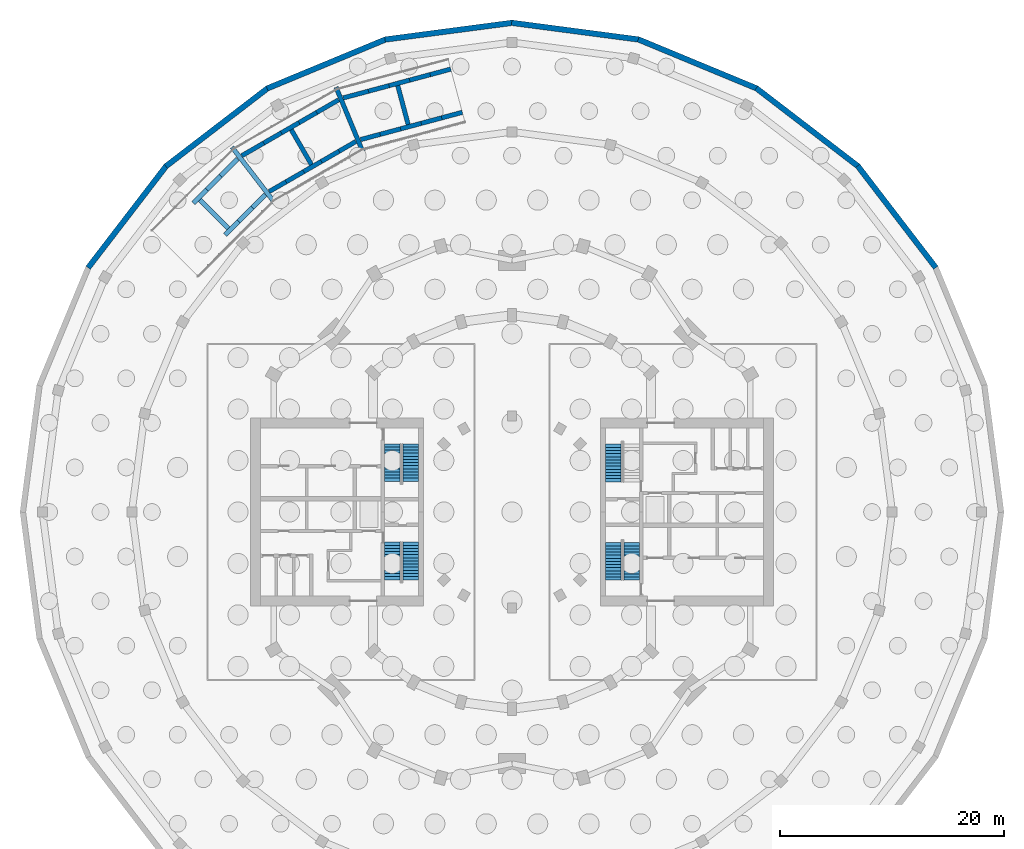
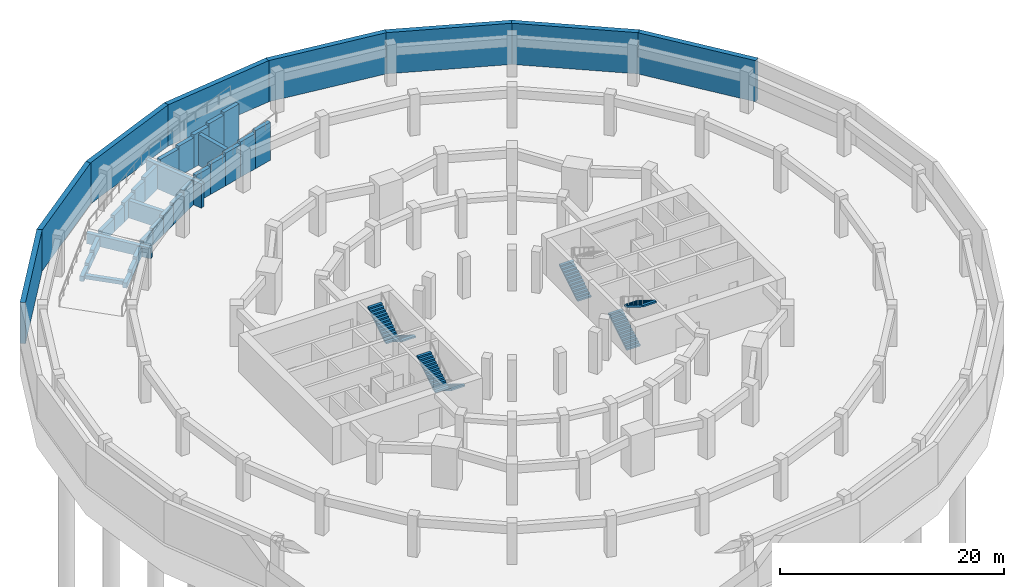
# One storey, part 6 of 9: 39 walls, 7 stair flights, 4 elements without a shape of their own.
"""IFC4 building model written with IfcOpenShell, lengths in metres."""

from ifc_helpers import new_model, si_unit, direction, frame, frame_2d, origin, place, context, subcontext, project, spatial, polyline, rectangle, outline, extrude, material, layer, layer_set, type_object, element, aggregate, save


model = new_model("IFC4")

# Units and contexts
model_context = context("Model", 3, precision=1e-05, world=origin(), true_north=direction((0.0, 1.0)))
body_context = subcontext(model_context, "Body", "Model", "MODEL_VIEW")
ifc_project = project(units=[si_unit("LENGTHUNIT", "METRE"), si_unit("AREAUNIT", "SQUARE_METRE"), si_unit("VOLUMEUNIT", "CUBIC_METRE"), si_unit("PLANEANGLEUNIT", "RADIAN"), si_unit("MASSUNIT", "GRAM", prefix="KILO")], contexts=[model_context])

# Site, building, storey
site_placement = place(None, origin())
site = spatial("IfcSite", under=ifc_project, at=site_placement, CompositionType="ELEMENT")
building_placement = place(site_placement, origin())
building = spatial("IfcBuilding", under=site, at=building_placement, Name="Torre Brocal", CompositionType="ELEMENT")
storey_placement = place(building_placement, frame((0.0, 0.0, -9.0)))
storey = spatial("IfcBuildingStorey", under=building, at=storey_placement, Name="B2", CompositionType="ELEMENT", Elevation=-9.0)

# Walls
ifc_material_1 = material(Name="Concrete C50", Category="concrete")
ifc_layer_1 = layer(ifc_material_1, 0.39990234375)
ifc_layer_set_1 = layer_set([ifc_layer_1], Name="Concrete C50")
wall_type_1 = type_object("IfcWallType", Name="RC RAMP BEND WALL 400 C50 TURN 1 TOP -6.345", PredefinedType="STANDARD", material=ifc_layer_set_1)
wall_1_placement = place(storey_placement, frame((66.654296875, 107.219482421875, 0.0), z_axis=(0.0, 0.0, 1.0), x_axis=(-0.382701283089, 0.923872138297, 0.0)))
element("IfcWall", 1, at=wall_1_placement, inside=storey, type_object=wall_type_1, Name="Wall RW-21", PredefinedType="STANDARD", context=body_context, shape_type="SweptSolid", body=[
    extrude(rectangle(XDim=6.251708984375, YDim=0.39990234375, at=frame_2d((3.1259765625, 0.0))), origin(), (0.0, 0.0, 1.0), 2.6552734375),
])
ifc_material_2 = material(Name="Concrete C50", Category="concrete")
ifc_layer_2 = layer(ifc_material_2, 0.39990234375)
ifc_layer_set_2 = layer_set([ifc_layer_2], Name="Concrete C50")
wall_type_2 = type_object("IfcWallType", Name="RC RAMP BEND WALL 400 C50 TURN 2 TOP -7.845", PredefinedType="STANDARD", material=ifc_layer_set_2)
wall_2_placement = place(storey_placement, frame((58.77001953125, 102.66748046875, 0.0), z_axis=(0.0, 0.0, 1.0), x_axis=(-0.608761058168, 0.793353624847, 0.0)))
element("IfcWall", 2, at=wall_2_placement, inside=storey, type_object=wall_type_2, Name="Wall RW-22", PredefinedType="STANDARD", context=body_context, shape_type="SweptSolid", body=[
    extrude(rectangle(XDim=6.251953125, YDim=0.39990234375, at=frame_2d((3.1259765625, 0.0))), origin(), (0.0, 0.0, 1.0), 1.1552734375),
])
ifc_material_3 = material(Name="Concrete C50", Category="concrete")
ifc_layer_3 = layer(ifc_material_3, 0.39990234375)
ifc_layer_set_3 = layer_set([ifc_layer_3], Name="Concrete C50")
wall_type_3 = type_object("IfcWallType", Name="RC RAMP CROSS WALL 400 C50 FLIGHT 1", PredefinedType="STANDARD", material=ifc_layer_set_3)
wall_3_placement = place(storey_placement, frame((70.71484375, 109.652587890625, 0.0), z_axis=(0.0, 0.0, 1.0), x_axis=(-0.258793712962, 0.96593261366, 0.0)))
element("IfcWall", 3, at=wall_3_placement, inside=storey, type_object=wall_type_3, Name="Wall RW-13", PredefinedType="STANDARD", context=body_context, shape_type="SweptSolid", body=[
    extrude(rectangle(XDim=3.599853515625, YDim=0.39990234375, at=frame_2d((1.7998046875, 0.0))), origin(), (0.0, 0.0, 1.0), 3.394287109375),
])
ifc_material_4 = material(Name="Concrete C50", Category="concrete")
ifc_layer_4 = layer(ifc_material_4, 0.39990234375)
ifc_layer_set_4 = layer_set([ifc_layer_4], Name="Concrete C50")
wall_type_4 = type_object("IfcWallType", Name="RC RAMP CROSS WALL 400 C50 FLIGHT 2", PredefinedType="STANDARD", material=ifc_layer_set_4)
wall_4_placement = place(storey_placement, frame((62.0625, 106.068603515625, 0.0), z_axis=(0.0, 0.0, 1.0), x_axis=(-0.500012057535, 0.866018442252, 0.0)))
element("IfcWall", 4, at=wall_4_placement, inside=storey, type_object=wall_type_4, Name="Wall RW-14", PredefinedType="STANDARD", context=body_context, shape_type="SweptSolid", body=[
    extrude(rectangle(XDim=3.60009765625, YDim=0.39990234375, at=frame_2d((1.800048828125, 0.0))), origin(), (0.0, 0.0, 1.0), 1.894287109375),
])
ifc_material_5 = material(Name="Concrete C50", Category="concrete")
ifc_layer_5 = layer(ifc_material_5, 0.39990234375)
ifc_layer_set_5 = layer_set([ifc_layer_5], Name="Concrete C50")
wall_type_5 = type_object("IfcWallType", Name="RC RAMP CROSS WALL 400 C50 FLIGHT 3", PredefinedType="STANDARD", material=ifc_layer_set_5)
wall_5_placement = place(storey_placement, frame((54.632568359375, 100.367431640625, 0.0), z_axis=(0.0, 0.0, 1.0), x_axis=(-0.707106781187, 0.707106781187, 0.0)))
element("IfcWall", 5, at=wall_5_placement, inside=storey, type_object=wall_type_5, Name="Wall RW-15", PredefinedType="STANDARD", context=body_context, shape_type="SweptSolid", body=[
    extrude(rectangle(XDim=3.60009765625, YDim=0.39990234375, at=frame_2d((1.800048828125, 0.0))), origin(), (0.0, 0.0, 1.0), 0.394287109375),
])
ifc_material_6 = material(Name="Concrete C50", Category="concrete")
ifc_layer_6 = layer(ifc_material_6, 0.39990234375)
ifc_layer_set_6 = layer_set([ifc_layer_6], Name="Concrete C50")
wall_type_6 = type_object("IfcWallType", Name="RC RAMP SUPPORT WALL 400 C50 FLIGHT 1 RUN A TOP -4.856", PredefinedType="STANDARD", material=ifc_layer_set_6)
for number, where, z_axis, x_axis, name in (
    (6, (74.5224609375, 114.606689453125, 0.0), (0.0, 0.0, 1.0), (-0.965940611522, -0.258763859558, 0.0), "Wall RW-03A"),
    (7, (75.5576171875, 110.7431640625, 0.0), (0.0, 0.0, 1.0), (-0.965908554551, -0.258883495505, 0.0), "Wall RW-03A"),
):
    element("IfcWall", number, at=place(storey_placement, frame(where, z_axis=z_axis, x_axis=x_axis)), inside=storey, type_object=wall_type_6, Name=name, PredefinedType="STANDARD", context=body_context, shape_type="SweptSolid", body=[
        extrude(rectangle(XDim=1.904052734375, YDim=0.39990234375, at=frame_2d((0.9521484375, 0.0))), origin(), (0.0, 0.0, 1.0), 4.144287109375),
    ])
ifc_material_7 = material(Name="Concrete C50", Category="concrete")
ifc_layer_7 = layer(ifc_material_7, 0.39990234375)
ifc_layer_set_7 = layer_set([ifc_layer_7], Name="Concrete C50")
wall_type_7 = type_object("IfcWallType", Name="RC RAMP SUPPORT WALL 400 C50 FLIGHT 1 RUN B TOP -5.144", PredefinedType="STANDARD", material=ifc_layer_set_7)
for number, where, z_axis, x_axis, name in (
    (8, (72.683349609375, 114.114013671875, 0.0), (0.0, 0.0, 1.0), (-0.965908554551, -0.258883495505, 0.0), "Wall RW-03B"),
    (9, (73.718505859375, 110.250244140625, 0.0), (0.0, 0.0, 1.0), (-0.965940611522, -0.258763859558, 0.0), "Wall RW-03B"),
):
    element("IfcWall", number, at=place(storey_placement, frame(where, z_axis=z_axis, x_axis=x_axis)), inside=storey, type_object=wall_type_7, Name=name, PredefinedType="STANDARD", context=body_context, shape_type="SweptSolid", body=[
        extrude(rectangle(XDim=1.904052734375, YDim=0.39990234375, at=frame_2d((0.9521484375, 0.0))), origin(), (0.0, 0.0, 1.0), 3.8564453125),
    ])
ifc_material_8 = material(Name="Concrete C50", Category="concrete")
ifc_layer_8 = layer(ifc_material_8, 0.39990234375)
ifc_layer_set_8 = layer_set([ifc_layer_8], Name="Concrete C50")
wall_type_8 = type_object("IfcWallType", Name="RC RAMP SUPPORT WALL 400 C50 FLIGHT 1 RUN C TOP -5.431", PredefinedType="STANDARD", material=ifc_layer_set_8)
wall_6_placement = place(storey_placement, frame((70.84423828125, 113.62109375, 0.0), z_axis=(0.0, 0.0, 1.0), x_axis=(-0.965949195903, -0.25873181276, 0.0)))
element("IfcWall", 10, at=wall_6_placement, inside=storey, type_object=wall_type_8, Name="Wall RW-03C", PredefinedType="STANDARD", context=body_context, shape_type="SweptSolid", body=[
    extrude(rectangle(XDim=1.904296875, YDim=0.39990234375, at=frame_2d((0.9521484375, 0.0))), origin(), (0.0, 0.0, 1.0), 3.568603515625),
])
wall_7_placement = place(storey_placement, frame((71.87939453125, 109.757568359375, 0.0), z_axis=(0.0, 0.0, 1.0), x_axis=(-0.965908554551, -0.258883495505, 0.0)))
element("IfcWall", 11, at=wall_7_placement, inside=storey, type_object=wall_type_8, Name="Wall RW-03C", PredefinedType="STANDARD", context=body_context, shape_type="SweptSolid", body=[
    extrude(rectangle(XDim=1.904052734375, YDim=0.39990234375, at=frame_2d((0.9521484375, 0.0))), origin(), (0.0, 0.0, 1.0), 3.568603515625),
])
ifc_material_9 = material(Name="Concrete C50", Category="concrete")
ifc_layer_9 = layer(ifc_material_9, 0.39990234375)
ifc_layer_set_9 = layer_set([ifc_layer_9], Name="Concrete C50")
wall_type_9 = type_object("IfcWallType", Name="RC RAMP SUPPORT WALL 400 C50 FLIGHT 1 RUN D TOP -5.719", PredefinedType="STANDARD", material=ifc_layer_set_9)
for number, where, z_axis, x_axis, name in (
    (12, (69.0048828125, 113.12841796875, 0.0), (0.0, 0.0, 1.0), (-0.965908554551, -0.258883495505, 0.0), "Wall RW-03D"),
    (13, (70.040283203125, 109.2646484375, 0.0), (0.0, 0.0, 1.0), (-0.965940611522, -0.258763859558, 0.0), "Wall RW-03D"),
):
    element("IfcWall", number, at=place(storey_placement, frame(where, z_axis=z_axis, x_axis=x_axis)), inside=storey, type_object=wall_type_9, Name=name, PredefinedType="STANDARD", context=body_context, shape_type="SweptSolid", body=[
        extrude(rectangle(XDim=1.904052734375, YDim=0.39990234375, at=frame_2d((0.9521484375, 0.0))), origin(), (0.0, 0.0, 1.0), 3.280517578125),
    ])
ifc_material_10 = material(Name="Concrete C50", Category="concrete")
ifc_layer_10 = layer(ifc_material_10, 0.39990234375)
ifc_layer_set_10 = layer_set([ifc_layer_10], Name="Concrete C50")
wall_type_10 = type_object("IfcWallType", Name="RC RAMP SUPPORT WALL 400 C50 FLIGHT 1 RUN E TOP -6.007", PredefinedType="STANDARD", material=ifc_layer_set_10)
wall_8_placement = place(storey_placement, frame((67.165771484375, 112.635498046875, 0.0), z_axis=(0.0, 0.0, 1.0), x_axis=(-0.965922428412, -0.25883172582, 0.0)))
element("IfcWall", 14, at=wall_8_placement, inside=storey, type_object=wall_type_10, Name="Wall RW-03E", PredefinedType="STANDARD", context=body_context, shape_type="SweptSolid", body=[
    extrude(rectangle(XDim=2.33935546875, YDim=0.39990234375, at=frame_2d((1.169677734375, 0.0))), origin(), (0.0, 0.0, 1.0), 2.99267578125),
])
wall_9_placement = place(storey_placement, frame((68.201171875, 108.77197265625, 0.0), z_axis=(0.0, 0.0, 1.0), x_axis=(-0.965916789022, -0.258852770287, 0.0)))
element("IfcWall", 15, at=wall_9_placement, inside=storey, type_object=wall_type_10, Name="Wall RW-03E", PredefinedType="STANDARD", context=body_context, shape_type="SweptSolid", body=[
    extrude(rectangle(XDim=1.812744140625, YDim=0.39990234375, at=frame_2d((0.90625, 0.0))), origin(), (0.0, 0.0, 1.0), 2.99267578125),
])
ifc_material_11 = material(Name="Concrete C50", Category="concrete")
ifc_layer_11 = layer(ifc_material_11, 0.39990234375)
ifc_layer_set_11 = layer_set([ifc_layer_11], Name="Concrete C50")
wall_type_11 = type_object("IfcWallType", Name="RC RAMP SUPPORT WALL 400 C50 FLIGHT 2 RUN A TOP -6.416", PredefinedType="STANDARD", material=ifc_layer_set_11)
wall_10_placement = place(storey_placement, frame((64.488525390625, 111.857177734375, 0.0), z_axis=(0.0, 0.0, 1.0), x_axis=(-0.86602002524, -0.500009315796, 0.0)))
element("IfcWall", 16, at=wall_10_placement, inside=storey, type_object=wall_type_11, Name="Wall RW-04A", PredefinedType="STANDARD", context=body_context, shape_type="SweptSolid", body=[
    extrude(rectangle(XDim=2.25927734375, YDim=0.39990234375, at=frame_2d((1.129638671875, 0.0))), origin(), (0.0, 0.0, 1.0), 2.583740234375),
])
wall_11_placement = place(storey_placement, frame((66.032470703125, 108.129638671875, 0.0), z_axis=(0.0, 0.0, 1.0), x_axis=(-0.866049489508, -0.499958279983, 0.0)))
element("IfcWall", 17, at=wall_11_placement, inside=storey, type_object=wall_type_11, Name="Wall RW-04A", PredefinedType="STANDARD", context=body_context, shape_type="SweptSolid", body=[
    extrude(rectangle(XDim=1.732666015625, YDim=0.39990234375, at=frame_2d((0.8662109375, 0.0))), origin(), (0.0, 0.0, 1.0), 2.583740234375),
])
ifc_material_12 = material(Name="Concrete C50", Category="concrete")
ifc_layer_12 = layer(ifc_material_12, 0.39990234375)
ifc_layer_set_12 = layer_set([ifc_layer_12], Name="Concrete C50")
wall_type_12 = type_object("IfcWallType", Name="RC RAMP SUPPORT WALL 400 C50 FLIGHT 2 RUN B TOP -6.692", PredefinedType="STANDARD", material=ifc_layer_set_12)
for number, where, z_axis, x_axis, name in (
    (18, (62.531982421875, 110.7275390625, 0.0), (0.0, 0.0, 1.0), (-0.865993887078, -0.500054584563, 0.0), "Wall RW-04B"),
    (19, (64.531982421875, 107.263427734375, 0.0), (0.0, 0.0, 1.0), (-0.865993887078, -0.500054584563, 0.0), "Wall RW-04B"),
):
    element("IfcWall", number, at=place(storey_placement, frame(where, z_axis=z_axis, x_axis=x_axis)), inside=storey, type_object=wall_type_12, Name=name, PredefinedType="STANDARD", context=body_context, shape_type="SweptSolid", body=[
        extrude(rectangle(XDim=1.823974609375, YDim=0.39990234375, at=frame_2d((0.912109375, 0.0))), origin(), (0.0, 0.0, 1.0), 2.30810546875),
    ])
ifc_material_13 = material(Name="Concrete C50", Category="concrete")
ifc_layer_13 = layer(ifc_material_13, 0.39990234375)
ifc_layer_set_13 = layer_set([ifc_layer_13], Name="Concrete C50")
wall_type_13 = type_object("IfcWallType", Name="RC RAMP SUPPORT WALL 400 C50 FLIGHT 2 RUN C TOP -6.968", PredefinedType="STANDARD", material=ifc_layer_set_13)
for number, where, z_axis, x_axis, name in (
    (20, (60.952392578125, 109.8154296875, 0.0), (0.0, 0.0, 1.0), (-0.866051847062, -0.499954196102, 0.0), "Wall RW-04C"),
    (21, (62.952392578125, 106.351318359375, 0.0), (0.0, 0.0, 1.0), (-0.866051847062, -0.499954196102, 0.0), "Wall RW-04C"),
):
    element("IfcWall", number, at=place(storey_placement, frame(where, z_axis=z_axis, x_axis=x_axis)), inside=storey, type_object=wall_type_13, Name=name, PredefinedType="STANDARD", context=body_context, shape_type="SweptSolid", body=[
        extrude(rectangle(XDim=1.823974609375, YDim=0.39990234375, at=frame_2d((0.912109375, 0.0))), origin(), (0.0, 0.0, 1.0), 2.0322265625),
    ])
ifc_material_14 = material(Name="Concrete C50", Category="concrete")
ifc_layer_14 = layer(ifc_material_14, 0.39990234375)
ifc_layer_set_14 = layer_set([ifc_layer_14], Name="Concrete C50")
wall_type_14 = type_object("IfcWallType", Name="RC RAMP SUPPORT WALL 400 C50 FLIGHT 2 RUN D TOP -7.244", PredefinedType="STANDARD", material=ifc_layer_set_14)
for number, where, z_axis, x_axis, name in (
    (22, (59.372802734375, 108.903564453125, 0.0), (0.0, 0.0, 1.0), (-0.865993887078, -0.500054584563, 0.0), "Wall RW-04D"),
    (23, (61.372802734375, 105.439453125, 0.0), (0.0, 0.0, 1.0), (-0.865993887078, -0.500054584563, 0.0), "Wall RW-04D"),
):
    element("IfcWall", number, at=place(storey_placement, frame(where, z_axis=z_axis, x_axis=x_axis)), inside=storey, type_object=wall_type_14, Name=name, PredefinedType="STANDARD", context=body_context, shape_type="SweptSolid", body=[
        extrude(rectangle(XDim=1.823974609375, YDim=0.39990234375, at=frame_2d((0.912109375, 0.0))), origin(), (0.0, 0.0, 1.0), 1.75634765625),
    ])
ifc_material_15 = material(Name="Concrete C50", Category="concrete")
ifc_layer_15 = layer(ifc_material_15, 0.39990234375)
ifc_layer_set_15 = layer_set([ifc_layer_15], Name="Concrete C50")
wall_type_15 = type_object("IfcWallType", Name="RC RAMP SUPPORT WALL 400 C50 FLIGHT 2 RUN E TOP -7.519", PredefinedType="STANDARD", material=ifc_layer_set_15)
wall_12_placement = place(storey_placement, frame((57.793212890625, 107.991455078125, 0.0), z_axis=(0.0, 0.0, 1.0), x_axis=(-0.866047038303, -0.499962526042, 0.0)))
element("IfcWall", 24, at=wall_12_placement, inside=storey, type_object=wall_type_15, Name="Wall RW-04E", PredefinedType="STANDARD", context=body_context, shape_type="SweptSolid", body=[
    extrude(rectangle(XDim=2.259521484375, YDim=0.39990234375, at=frame_2d((1.1298828125, 0.0))), origin(), (0.0, 0.0, 1.0), 1.480712890625),
])
wall_13_placement = place(storey_placement, frame((59.793212890625, 104.52734375, 0.0), z_axis=(0.0, 0.0, 1.0), x_axis=(-0.866084705359, -0.49989727259, 0.0)))
element("IfcWall", 25, at=wall_13_placement, inside=storey, type_object=wall_type_15, Name="Wall RW-04E", PredefinedType="STANDARD", context=body_context, shape_type="SweptSolid", body=[
    extrude(rectangle(XDim=1.732666015625, YDim=0.39990234375, at=frame_2d((0.8662109375, 0.0))), origin(), (0.0, 0.0, 1.0), 1.480712890625),
])
ifc_material_16 = material(Name="Concrete C50", Category="concrete")
ifc_layer_16 = layer(ifc_material_16, 0.39990234375)
ifc_layer_set_16 = layer_set([ifc_layer_16], Name="Concrete C50")
wall_type_16 = type_object("IfcWallType", Name="RC RAMP SUPPORT WALL 400 C50 FLIGHT 3 RUN A TOP -7.916", PredefinedType="STANDARD", material=ifc_layer_set_16)
wall_14_placement = place(storey_placement, frame((55.477783203125, 106.586669921875, 0.0), z_axis=(0.0, 0.0, 1.0), x_axis=(-0.707050350336, -0.707163207534, 0.0)))
element("IfcWall", 26, at=wall_14_placement, inside=storey, type_object=wall_type_16, Name="Wall RW-05A", PredefinedType="STANDARD", context=body_context, shape_type="SweptSolid", body=[
    extrude(rectangle(XDim=2.163330078125, YDim=0.39990234375, at=frame_2d((1.08154296875, 0.0))), origin(), (0.0, 0.0, 1.0), 1.083740234375),
])
wall_15_placement = place(storey_placement, frame((57.933837890625, 103.3857421875, 0.0), z_axis=(0.0, 0.0, 1.0), x_axis=(-0.707106781187, -0.707106781187, 0.0)))
element("IfcWall", 27, at=wall_15_placement, inside=storey, type_object=wall_type_16, Name="Wall RW-05A", PredefinedType="STANDARD", context=body_context, shape_type="SweptSolid", body=[
    extrude(rectangle(XDim=1.636474609375, YDim=0.39990234375, at=frame_2d((0.818359375, 0.0))), origin(), (0.0, 0.0, 1.0), 1.083740234375),
])
ifc_material_17 = material(Name="Concrete C50", Category="concrete")
ifc_layer_17 = layer(ifc_material_17, 0.39990234375)
ifc_layer_set_17 = layer_set([ifc_layer_17], Name="Concrete C50")
wall_type_17 = type_object("IfcWallType", Name="RC RAMP SUPPORT WALL 400 C50 FLIGHT 3 RUN B TOP -8.177", PredefinedType="STANDARD", material=ifc_layer_set_17)
for number, where, z_axis, x_axis, name in (
    (28, (53.9482421875, 105.056884765625, 0.0), (0.0, 0.0, 1.0), (-0.707177424753, -0.707036130562, 0.0), "Wall RW-05B"),
    (29, (56.776611328125, 102.228515625, 0.0), (0.0, 0.0, 1.0), (-0.707177424753, -0.707036130562, 0.0), "Wall RW-05B"),
):
    element("IfcWall", number, at=place(storey_placement, frame(where, z_axis=z_axis, x_axis=x_axis)), inside=storey, type_object=wall_type_17, Name=name, PredefinedType="STANDARD", context=body_context, shape_type="SweptSolid", body=[
        extrude(rectangle(XDim=1.727783203125, YDim=0.39990234375, at=frame_2d((0.86376953125, 0.0))), origin(), (0.0, 0.0, 1.0), 0.822509765625),
    ])
ifc_material_18 = material(Name="Concrete C50", Category="concrete")
ifc_layer_18 = layer(ifc_material_18, 0.39990234375)
ifc_layer_set_18 = layer_set([ifc_layer_18], Name="Concrete C50")
wall_type_18 = type_object("IfcWallType", Name="RC RAMP SUPPORT WALL 400 C50 FLIGHT 3 RUN C TOP -8.439", PredefinedType="STANDARD", material=ifc_layer_set_18)
for number, where, z_axis, x_axis, name in (
    (30, (52.726318359375, 103.835205078125, 0.0), (0.0, 0.0, 1.0), (-0.707036130562, -0.707177424753, 0.0), "Wall RW-05C"),
    (31, (55.5546875, 101.0068359375, 0.0), (0.0, 0.0, 1.0), (-0.707036130562, -0.707177424753, 0.0), "Wall RW-05C"),
):
    element("IfcWall", number, at=place(storey_placement, frame(where, z_axis=z_axis, x_axis=x_axis)), inside=storey, type_object=wall_type_18, Name=name, PredefinedType="STANDARD", context=body_context, shape_type="SweptSolid", body=[
        extrude(rectangle(XDim=1.727783203125, YDim=0.39990234375, at=frame_2d((0.86376953125, 0.0))), origin(), (0.0, 0.0, 1.0), 0.561279296875),
    ])
ifc_material_19 = material(Name="Concrete C45", Category="concrete")
ifc_layer_19 = layer(ifc_material_19, 0.5)
ifc_layer_set_19 = layer_set([ifc_layer_19], Name="Concrete C45")
wall_type_19 = type_object("IfcWallType", Name="RC RETAINING WALL 500 C45", PredefinedType="STANDARD", material=ifc_layer_set_19)
for number, where, z_axis, x_axis, name in (
    (32, (117.90673828125, 96.847900390625, 0.0), (0.0, 0.0, 1.0), (-0.608768387966, 0.793348000447, 0.0), "Wall RW-1"),
    (33, (110.96044921875, 105.914306640625, 0.0), (0.0, 0.0, 1.0), (-0.793348000447, 0.608768387966, 0.0), "Wall RW-1"),
    (34, (101.904296875, 112.874267578125, 0.0), (0.0, 0.0, 1.0), (-0.923881085843, 0.382679682269, 0.0), "Wall RW-1"),
):
    element("IfcWall", number, at=place(storey_placement, frame(where, z_axis=z_axis, x_axis=x_axis)), inside=storey, type_object=wall_type_19, Name=name, PredefinedType="STANDARD", context=body_context, shape_type="SweptSolid", body=[
        extrude(rectangle(XDim=11.486083984375, YDim=0.5, at=frame_2d((5.7431640625, 0.0))), origin(), (0.0, 0.0, 1.0), 4.5),
    ])
for number, where, z_axis, x_axis, name in (
    (35, (91.35546875, 117.2529296875, 0.0), (0.0, 0.0, 1.0), (-0.991445033014, 0.130524888474, 0.0), "Wall RW-1"),
    (36, (80.03271484375, 118.752197265625, 0.0), (0.0, 0.0, 1.0), (-0.991445033014, -0.130524888474, 0.0), "Wall RW-1"),
):
    element("IfcWall", number, at=place(storey_placement, frame(where, z_axis=z_axis, x_axis=x_axis)), inside=storey, type_object=wall_type_19, Name=name, PredefinedType="STANDARD", context=body_context, shape_type="SweptSolid", body=[
        extrude(rectangle(XDim=11.486328125, YDim=0.5, at=frame_2d((5.7431640625, 0.0))), origin(), (0.0, 0.0, 1.0), 4.5),
    ])
for number, where, z_axis, x_axis, name in (
    (37, (68.70751953125, 117.269775390625, 0.0), (0.0, 0.0, 1.0), (-0.923881085843, -0.382679682269, 0.0), "Wall RW-1"),
    (38, (58.152099609375, 112.90673828125, 0.0), (0.0, 0.0, 1.0), (-0.793348000447, -0.608768387966, 0.0), "Wall RW-1"),
    (39, (49.085693359375, 105.96044921875, 0.0), (0.0, 0.0, 1.0), (-0.608768387966, -0.793348000447, 0.0), "Wall RW-1"),
):
    element("IfcWall", number, at=place(storey_placement, frame(where, z_axis=z_axis, x_axis=x_axis)), inside=storey, type_object=wall_type_19, Name=name, PredefinedType="STANDARD", context=body_context, shape_type="SweptSolid", body=[
        extrude(rectangle(XDim=11.486083984375, YDim=0.5, at=frame_2d((5.7431640625, 0.0))), origin(), (0.0, 0.0, 1.0), 4.5),
    ])

# Stair, stair flight
ifc_material_20 = material(Name="Concrete C50", Category="concrete")
stair_type = type_object("IfcStairType", Name="EXIT STAIR", PredefinedType="HALF_TURN_STAIR", material=ifc_material_20)
stair_1_placement = place(storey_placement, origin())
stair_1 = element("IfcStair", 40, at=stair_1_placement, inside=storey, type_object=stair_type, Name="EXIT STAIR ST1", PredefinedType="HALF_TURN_STAIR")
ifc_material_21 = material(Name="Concrete C50", Category="concrete")
ifc_layer_20 = layer(ifc_material_21, 0.14990234375)
ifc_layer_set_20 = layer_set([ifc_layer_20], Name="Concrete C50")
stair_flight_type = type_object("IfcStairFlightType", Name="STAIR FLIGHT", PredefinedType="STRAIGHT", material=ifc_layer_set_20)
stair_flight_1_placement = place(storey_placement, frame((89.050048828125, 77.699951171875, 0.0), z_axis=(0.0, 0.0, 1.0), x_axis=(0.0, 1.0, 0.0)))
stair_flight_1 = element("IfcStairFlight", 41, at=stair_flight_1_placement, type_object=stair_flight_type, Name="ST1 flight 1", NumberOfRisers=13, NumberOfTreads=12, PredefinedType="STRAIGHT", RiserHeight=0.173076923, TreadLength=0.28, context=body_context, shape_type="SweptSolid", body=[
    extrude(outline(polyline([(0.0, 0.0), (0.0, 0.173095703125), (0.280029296875, 0.173095703125), (0.280029296875, 0.34619140625), (0.56005859375, 0.34619140625), (0.56005859375, 0.519287109375), (0.840087890625, 0.519287109375), (0.840087890625, 0.6923828125), (1.1201171875, 0.6923828125), (1.1201171875, 0.865478515625), (1.39990234375, 0.865478515625), (1.39990234375, 1.03857421875), (1.679931640625, 1.03857421875), (1.679931640625, 1.21142578125), (1.9599609375, 1.21142578125), (1.9599609375, 1.384521484375), (2.239990234375, 1.384521484375), (2.239990234375, 1.5576171875), (2.52001953125, 1.5576171875), (2.52001953125, 1.730712890625), (2.800048828125, 1.730712890625), (2.800048828125, 1.90380859375), (3.080078125, 1.90380859375), (3.080078125, 2.076904296875), (3.360107421875, 2.076904296875), (3.360107421875, 2.25), (3.360107421875, 1.900634765625), (0.28515625, 0.0), (0.0, 0.0)])), frame((0.0, 0.699951171875, 0.0), z_axis=(0.0, -1.0, 0.0), x_axis=(1.0, 0.0, 0.0)), (0.0, 0.0, 1.0), 1.39990234375),
])
aggregate(stair_1, [stair_flight_1])

# Stair, stair flights
stair_2_placement = place(storey_placement, origin())
stair_2 = element("IfcStair", 42, at=stair_2_placement, inside=storey, type_object=stair_type, Name="EXIT STAIR ST2", PredefinedType="HALF_TURN_STAIR")
stair_flight_2_placement = place(storey_placement, frame((89.050048828125, 68.89990234375, 0.0), z_axis=(0.0, 0.0, 1.0), x_axis=(0.0, 1.0, 0.0)))
stair_flight_2 = element("IfcStairFlight", 43, at=stair_flight_2_placement, type_object=stair_flight_type, Name="ST2 flight 1", NumberOfRisers=13, NumberOfTreads=12, PredefinedType="STRAIGHT", RiserHeight=0.173076923, TreadLength=0.28, context=body_context, shape_type="SweptSolid", body=[
    extrude(outline(polyline([(0.0, 0.0), (0.0, 0.173095703125), (0.280029296875, 0.173095703125), (0.280029296875, 0.34619140625), (0.56005859375, 0.34619140625), (0.56005859375, 0.519287109375), (0.840087890625, 0.519287109375), (0.840087890625, 0.6923828125), (1.1201171875, 0.6923828125), (1.1201171875, 0.865478515625), (1.39990234375, 0.865478515625), (1.39990234375, 1.03857421875), (1.679931640625, 1.03857421875), (1.679931640625, 1.21142578125), (1.9599609375, 1.21142578125), (1.9599609375, 1.384521484375), (2.239990234375, 1.384521484375), (2.239990234375, 1.5576171875), (2.52001953125, 1.5576171875), (2.52001953125, 1.730712890625), (2.800048828125, 1.730712890625), (2.800048828125, 1.90380859375), (3.080078125, 1.90380859375), (3.080078125, 2.076904296875), (3.360107421875, 2.076904296875), (3.360107421875, 2.25), (3.360107421875, 1.900634765625), (0.28515625, 0.0), (0.0, 0.0)])), frame((0.0, 0.699951171875, 0.0), z_axis=(0.0, -1.0, 0.0), x_axis=(1.0, 0.0, 0.0)), (0.0, 0.0, 1.0), 1.39990234375),
])
stair_flight_3_placement = place(storey_placement, frame((90.699951171875, 72.260009765625, 2.25), z_axis=(0.0, 0.0, 1.0), x_axis=(0.0, -1.0, 0.0)))
stair_flight_3 = element("IfcStairFlight", 44, at=stair_flight_3_placement, type_object=stair_flight_type, Name="ST2 flight 2", NumberOfRisers=13, NumberOfTreads=12, PredefinedType="STRAIGHT", RiserHeight=0.173076923, TreadLength=0.28, context=body_context, shape_type="SweptSolid", body=[
    extrude(outline(polyline([(0.0, 0.0), (0.0, 0.173095703125), (0.280029296875, 0.173095703125), (0.280029296875, 0.34619140625), (0.56005859375, 0.34619140625), (0.56005859375, 0.519287109375), (0.840087890625, 0.519287109375), (0.840087890625, 0.6923828125), (1.1201171875, 0.6923828125), (1.1201171875, 0.865478515625), (1.39990234375, 0.865478515625), (1.39990234375, 1.03857421875), (1.679931640625, 1.03857421875), (1.679931640625, 1.21142578125), (1.9599609375, 1.21142578125), (1.9599609375, 1.384521484375), (2.239990234375, 1.384521484375), (2.239990234375, 1.5576171875), (2.52001953125, 1.5576171875), (2.52001953125, 1.730712890625), (2.800048828125, 1.730712890625), (2.800048828125, 1.90380859375), (3.080078125, 1.90380859375), (3.080078125, 2.076904296875), (3.360107421875, 2.076904296875), (3.360107421875, 2.25), (3.360107421875, 1.900634765625), (0.28515625, 0.0), (0.0, 0.0)])), frame((0.0, 0.699951171875, 0.0), z_axis=(0.0, -1.0, 0.0), x_axis=(1.0, 0.0, 0.0)), (0.0, 0.0, 1.0), 1.39990234375),
])
aggregate(stair_2, [stair_flight_2, stair_flight_3])

stair_3_placement = place(storey_placement, origin())
stair_3 = element("IfcStair", 45, at=stair_3_placement, inside=storey, type_object=stair_type, Name="EXIT STAIR ST3", PredefinedType="HALF_TURN_STAIR")
stair_flight_4_placement = place(storey_placement, frame((70.949951171875, 72.300048828125, 0.0), z_axis=(0.0, 0.0, 1.0), x_axis=(0.0, -1.0, 0.0)))
stair_flight_4 = element("IfcStairFlight", 46, at=stair_flight_4_placement, type_object=stair_flight_type, Name="ST3 flight 1", NumberOfRisers=13, NumberOfTreads=12, PredefinedType="STRAIGHT", RiserHeight=0.173076923, TreadLength=0.28, context=body_context, shape_type="SweptSolid", body=[
    extrude(outline(polyline([(0.0, 0.0), (0.0, 0.173095703125), (0.280029296875, 0.173095703125), (0.280029296875, 0.34619140625), (0.56005859375, 0.34619140625), (0.56005859375, 0.519287109375), (0.840087890625, 0.519287109375), (0.840087890625, 0.6923828125), (1.1201171875, 0.6923828125), (1.1201171875, 0.865478515625), (1.39990234375, 0.865478515625), (1.39990234375, 1.03857421875), (1.679931640625, 1.03857421875), (1.679931640625, 1.21142578125), (1.9599609375, 1.21142578125), (1.9599609375, 1.384521484375), (2.239990234375, 1.384521484375), (2.239990234375, 1.5576171875), (2.52001953125, 1.5576171875), (2.52001953125, 1.730712890625), (2.800048828125, 1.730712890625), (2.800048828125, 1.90380859375), (3.080078125, 1.90380859375), (3.080078125, 2.076904296875), (3.360107421875, 2.076904296875), (3.360107421875, 2.25), (3.360107421875, 1.900634765625), (0.28515625, 0.0), (0.0, 0.0)])), frame((0.0, 0.699951171875, 0.0), z_axis=(0.0, -1.0, 0.0), x_axis=(1.0, 0.0, 0.0)), (0.0, 0.0, 1.0), 1.39990234375),
])
stair_flight_5_placement = place(storey_placement, frame((69.300048828125, 68.93994140625, 2.25), z_axis=(0.0, 0.0, 1.0), x_axis=(0.0, 1.0, 0.0)))
stair_flight_5 = element("IfcStairFlight", 47, at=stair_flight_5_placement, type_object=stair_flight_type, Name="ST3 flight 2", NumberOfRisers=13, NumberOfTreads=12, PredefinedType="STRAIGHT", RiserHeight=0.173076923, TreadLength=0.28, context=body_context, shape_type="SweptSolid", body=[
    extrude(outline(polyline([(0.0, 0.0), (0.0, 0.173095703125), (0.280029296875, 0.173095703125), (0.280029296875, 0.34619140625), (0.56005859375, 0.34619140625), (0.56005859375, 0.519287109375), (0.840087890625, 0.519287109375), (0.840087890625, 0.6923828125), (1.1201171875, 0.6923828125), (1.1201171875, 0.865478515625), (1.39990234375, 0.865478515625), (1.39990234375, 1.03857421875), (1.679931640625, 1.03857421875), (1.679931640625, 1.21142578125), (1.9599609375, 1.21142578125), (1.9599609375, 1.384521484375), (2.239990234375, 1.384521484375), (2.239990234375, 1.5576171875), (2.52001953125, 1.5576171875), (2.52001953125, 1.730712890625), (2.800048828125, 1.730712890625), (2.800048828125, 1.90380859375), (3.080078125, 1.90380859375), (3.080078125, 2.076904296875), (3.360107421875, 2.076904296875), (3.360107421875, 2.25), (3.360107421875, 1.900634765625), (0.28515625, 0.0), (0.0, 0.0)])), frame((0.0, 0.699951171875, 0.0), z_axis=(0.0, -1.0, 0.0), x_axis=(1.0, 0.0, 0.0)), (0.0, 0.0, 1.0), 1.39990234375),
])
aggregate(stair_3, [stair_flight_4, stair_flight_5])

stair_4_placement = place(storey_placement, origin())
stair_4 = element("IfcStair", 48, at=stair_4_placement, inside=storey, type_object=stair_type, Name="EXIT STAIR ST4", PredefinedType="HALF_TURN_STAIR")
stair_flight_6_placement = place(storey_placement, frame((70.949951171875, 81.10009765625, 0.0), z_axis=(0.0, 0.0, 1.0), x_axis=(0.0, -1.0, 0.0)))
stair_flight_6 = element("IfcStairFlight", 49, at=stair_flight_6_placement, type_object=stair_flight_type, Name="ST4 flight 1", NumberOfRisers=13, NumberOfTreads=12, PredefinedType="STRAIGHT", RiserHeight=0.173076923, TreadLength=0.28, context=body_context, shape_type="SweptSolid", body=[
    extrude(outline(polyline([(0.0, 0.0), (0.0, 0.173095703125), (0.280029296875, 0.173095703125), (0.280029296875, 0.34619140625), (0.56005859375, 0.34619140625), (0.56005859375, 0.519287109375), (0.840087890625, 0.519287109375), (0.840087890625, 0.6923828125), (1.1201171875, 0.6923828125), (1.1201171875, 0.865478515625), (1.39990234375, 0.865478515625), (1.39990234375, 1.03857421875), (1.679931640625, 1.03857421875), (1.679931640625, 1.21142578125), (1.9599609375, 1.21142578125), (1.9599609375, 1.384521484375), (2.239990234375, 1.384521484375), (2.239990234375, 1.5576171875), (2.52001953125, 1.5576171875), (2.52001953125, 1.730712890625), (2.800048828125, 1.730712890625), (2.800048828125, 1.90380859375), (3.080078125, 1.90380859375), (3.080078125, 2.076904296875), (3.360107421875, 2.076904296875), (3.360107421875, 2.25), (3.360107421875, 1.900634765625), (0.28515625, 0.0), (0.0, 0.0)])), frame((0.0, 0.699951171875, 0.0), z_axis=(0.0, -1.0, 0.0), x_axis=(1.0, 0.0, 0.0)), (0.0, 0.0, 1.0), 1.39990234375),
])
stair_flight_7_placement = place(storey_placement, frame((69.300048828125, 77.739990234375, 2.25), z_axis=(0.0, 0.0, 1.0), x_axis=(0.0, 1.0, 0.0)))
stair_flight_7 = element("IfcStairFlight", 50, at=stair_flight_7_placement, type_object=stair_flight_type, Name="ST4 flight 2", NumberOfRisers=13, NumberOfTreads=12, PredefinedType="STRAIGHT", RiserHeight=0.173076923, TreadLength=0.28, context=body_context, shape_type="SweptSolid", body=[
    extrude(outline(polyline([(0.0, 0.0), (0.0, 0.173095703125), (0.280029296875, 0.173095703125), (0.280029296875, 0.34619140625), (0.56005859375, 0.34619140625), (0.56005859375, 0.519287109375), (0.840087890625, 0.519287109375), (0.840087890625, 0.6923828125), (1.1201171875, 0.6923828125), (1.1201171875, 0.865478515625), (1.39990234375, 0.865478515625), (1.39990234375, 1.03857421875), (1.679931640625, 1.03857421875), (1.679931640625, 1.21142578125), (1.9599609375, 1.21142578125), (1.9599609375, 1.384521484375), (2.239990234375, 1.384521484375), (2.239990234375, 1.5576171875), (2.52001953125, 1.5576171875), (2.52001953125, 1.730712890625), (2.800048828125, 1.730712890625), (2.800048828125, 1.90380859375), (3.080078125, 1.90380859375), (3.080078125, 2.076904296875), (3.360107421875, 2.076904296875), (3.360107421875, 2.25), (3.360107421875, 1.900634765625), (0.28515625, 0.0), (0.0, 0.0)])), frame((0.0, 0.699951171875, 0.0), z_axis=(0.0, -1.0, 0.0), x_axis=(1.0, 0.0, 0.0)), (0.0, 0.0, 1.0), 1.39990234375),
])
aggregate(stair_4, [stair_flight_6, stair_flight_7])

save(model, "model.ifc")
